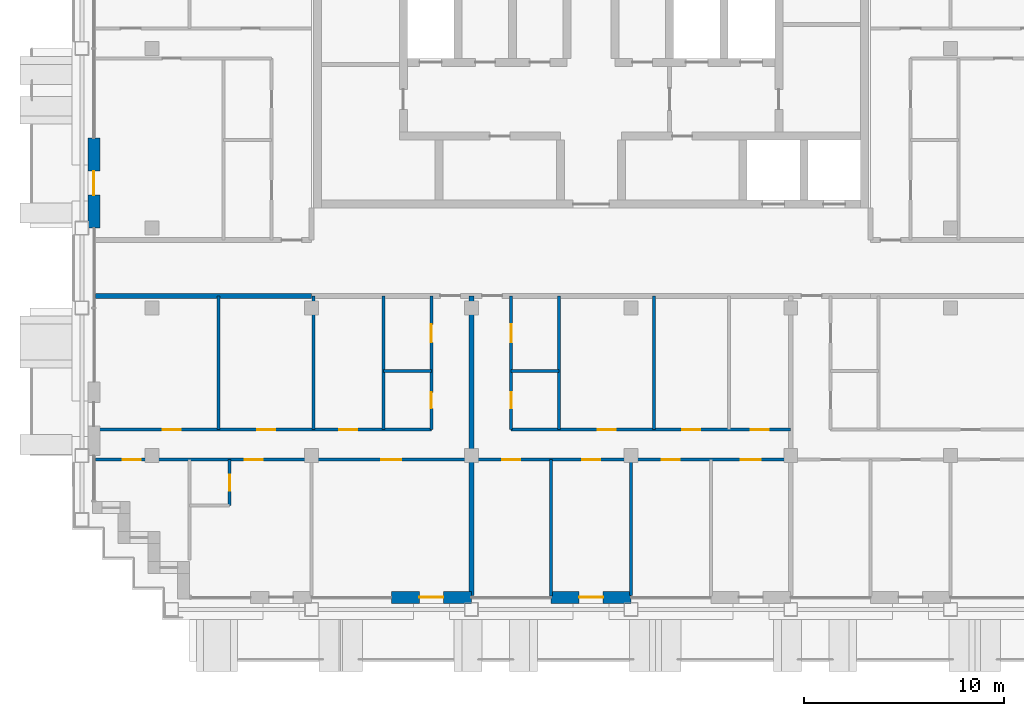
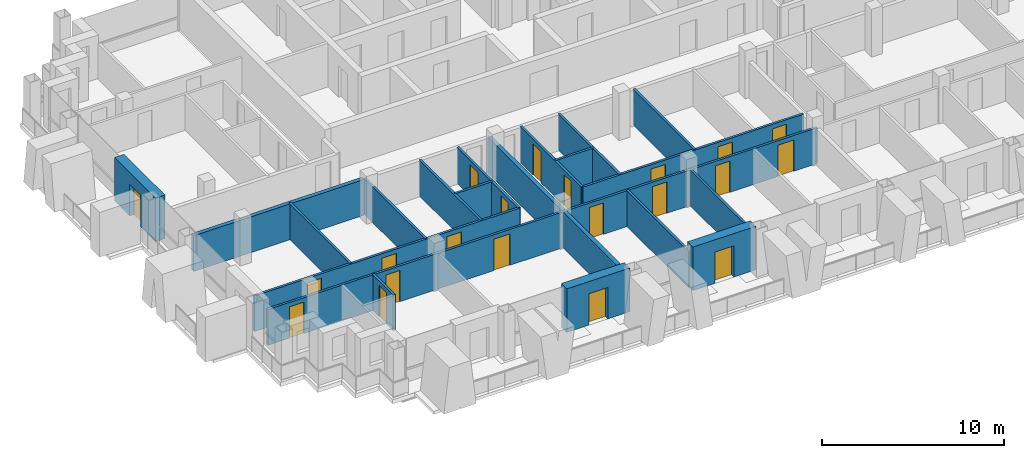
# One storey, part 8 of 16: 21 doors, 21 walls, 21 openings.
"""IFC4 building model written with IfcOpenShell, lengths in metres."""

from ifc_helpers import new_model, si_unit, direction, frame, frame_2d, origin, place, context, subcontext, project, spatial, rectangle, extrude, material, layer, layer_set, type_object, element, fill, save


model = new_model("IFC4")

# Units and contexts
model_context = context("Model", 3, precision=1e-05, world=origin(), true_north=direction((0.0, 1.0)))
body_context = subcontext(model_context, "Body", "Model", "MODEL_VIEW")
ifc_project = project(units=[si_unit("LENGTHUNIT", "METRE"), si_unit("AREAUNIT", "SQUARE_METRE"), si_unit("VOLUMEUNIT", "CUBIC_METRE"), si_unit("PLANEANGLEUNIT", "RADIAN"), si_unit("MASSUNIT", "GRAM", prefix="KILO")], contexts=[model_context])

# Site, building, storey
site_placement = place(None, origin())
site = spatial("IfcSite", under=ifc_project, at=site_placement, CompositionType="ELEMENT")
building_placement = place(site_placement, origin())
building = spatial("IfcBuilding", under=site, at=building_placement, Name="Vidyagriha Tower", CompositionType="ELEMENT")
storey_placement = place(building_placement, frame((0.0, 0.0, 168.5)))
storey = spatial("IfcBuildingStorey", under=building, at=storey_placement, Name="L43", CompositionType="ELEMENT", Elevation=168.5)

# Wall, opening, door
ifc_material_1 = material(Name="Precast concrete C40/50 with brick facing", Category="concrete")
ifc_layer_1 = layer(ifc_material_1, 0.60009765625)
ifc_layer_set_1 = layer_set([ifc_layer_1], Name="Precast concrete C40/50 with brick facing")
wall_type_1 = type_object("IfcWallType", Name="Brick-faced precast wall 600", PredefinedType="STANDARD", material=ifc_layer_set_1)
wall_1_placement = place(storey_placement, frame((-24.89990234375, 6.5, 0.0), z_axis=(0.0, 0.0, 1.0), x_axis=(0.0, -1.0, 0.0)))
wall_1 = element("IfcWall", 1, at=wall_1_placement, inside=storey, type_object=wall_type_1, Name="Brick door bay wall L43 R16.3", PredefinedType="STANDARD", context=body_context, shape_type="SweptSolid", body=[
    extrude(rectangle(XDim=4.5, YDim=0.60009765625, at=frame_2d((2.25, 0.0))), origin(), (0.0, 0.0, 1.0), 2.919921875),
])
opening_1_placement = place(wall_1_placement, frame((1.64990234375, 0.0, 0.0)))
opening_1 = element("IfcOpeningElement", 2, at=opening_1_placement, cuts=wall_1, Name="Opening D43-66", PredefinedType="OPENING", context=body_context, shape_type="SweptSolid", body=[
    extrude(rectangle(XDim=1.199951171875, YDim=2.10009765625, at=frame_2d((0.60009765625, 1.050048828125))), frame((0.0, 0.31005859375, 0.0), z_axis=(0.0, -1.0, 0.0), x_axis=(1.0, 0.0, 0.0)), (0.0, 0.0, 1.0), 0.6201171875),
])
ifc_material_2 = material(Name="Aluminium framed glazed sliding door", Category="aluminium")
door_type_1 = type_object("IfcDoorType", Name="Balcony sliding door 1200x2100", OperationType="NOTDEFINED", PredefinedType="DOOR", material=ifc_material_2)
door_1_placement = place(opening_1_placement, origin())
door_1 = element("IfcDoor", 3, at=door_1_placement, inside=storey, type_object=door_type_1, Name="Door D43-66", OperationType="SLIDING_TO_LEFT", OverallHeight=2.10009765625, OverallWidth=1.199951171875, PredefinedType="DOOR", context=body_context, shape_type="SweptSolid", body=[
    extrude(rectangle(XDim=1.199951171875, YDim=2.10009765625, at=frame_2d((0.60009765625, 1.050048828125))), frame((0.0, 0.02490234375, 0.0), z_axis=(0.0, -1.0, 0.0), x_axis=(1.0, 0.0, 0.0)), (0.0, 0.0, 1.0), 0.050048828125),
])
fill(opening_1, door_1)

wall_2_placement = place(storey_placement, frame((-10.0, -16.5, 0.0)))
wall_2 = element("IfcWall", 4, at=wall_2_placement, inside=storey, type_object=wall_type_1, Name="Brick door bay wall L43 R23.4", PredefinedType="STANDARD", context=body_context, shape_type="SweptSolid", body=[
    extrude(rectangle(XDim=4.0, YDim=0.60009765625, at=frame_2d((2.0, 0.0))), origin(), (0.0, 0.0, 1.0), 2.919921875),
])
opening_2_placement = place(wall_2_placement, frame((1.39990234375, 0.0, 0.0)))
opening_2 = element("IfcOpeningElement", 5, at=opening_2_placement, cuts=wall_2, Name="Opening D43-69", PredefinedType="OPENING", context=body_context, shape_type="SweptSolid", body=[
    extrude(rectangle(XDim=1.199951171875, YDim=2.10009765625, at=frame_2d((0.60009765625, 1.050048828125))), frame((0.0, 0.31005859375, 0.0), z_axis=(0.0, -1.0, 0.0), x_axis=(1.0, 0.0, 0.0)), (0.0, 0.0, 1.0), 0.6201171875),
])
door_2_placement = place(opening_2_placement, origin())
door_2 = element("IfcDoor", 6, at=door_2_placement, inside=storey, type_object=door_type_1, Name="Door D43-69", OperationType="SLIDING_TO_LEFT", OverallHeight=2.10009765625, OverallWidth=1.199951171875, PredefinedType="DOOR", context=body_context, shape_type="SweptSolid", body=[
    extrude(rectangle(XDim=1.199951171875, YDim=2.10009765625, at=frame_2d((0.60009765625, 1.050048828125))), frame((0.0, 0.02490234375, 0.0), z_axis=(0.0, -1.0, 0.0), x_axis=(1.0, 0.0, 0.0)), (0.0, 0.0, 1.0), 0.050048828125),
])
fill(opening_2, door_2)

wall_3_placement = place(storey_placement, frame((-2.0, -16.5, 0.0)))
wall_3 = element("IfcWall", 7, at=wall_3_placement, inside=storey, type_object=wall_type_1, Name="Brick door bay wall L43 R23.6", PredefinedType="STANDARD", context=body_context, shape_type="SweptSolid", body=[
    extrude(rectangle(XDim=4.0, YDim=0.60009765625, at=frame_2d((2.0, 0.0))), origin(), (0.0, 0.0, 1.0), 2.919921875),
])
opening_3_placement = place(wall_3_placement, frame((1.39990234375, 0.0, 0.0)))
opening_3 = element("IfcOpeningElement", 8, at=opening_3_placement, cuts=wall_3, Name="Opening D43-70", PredefinedType="OPENING", context=body_context, shape_type="SweptSolid", body=[
    extrude(rectangle(XDim=1.199951171875, YDim=2.10009765625, at=frame_2d((0.60009765625, 1.050048828125))), frame((0.0, 0.31005859375, 0.0), z_axis=(0.0, -1.0, 0.0), x_axis=(1.0, 0.0, 0.0)), (0.0, 0.0, 1.0), 0.6201171875),
])
door_3_placement = place(opening_3_placement, origin())
door_3 = element("IfcDoor", 9, at=door_3_placement, inside=storey, type_object=door_type_1, Name="Door D43-70", OperationType="SLIDING_TO_LEFT", OverallHeight=2.10009765625, OverallWidth=1.199951171875, PredefinedType="DOOR", context=body_context, shape_type="SweptSolid", body=[
    extrude(rectangle(XDim=1.199951171875, YDim=2.10009765625, at=frame_2d((0.60009765625, 1.050048828125))), frame((0.0, 0.02490234375, 0.0), z_axis=(0.0, -1.0, 0.0), x_axis=(1.0, 0.0, 0.0)), (0.0, 0.0, 1.0), 0.050048828125),
])
fill(opening_3, door_3)

# Walls
ifc_material_3 = material(Name="Fired clay brick masonry", Category="masonry")
ifc_layer_2 = layer(ifc_material_3, 0.25)
ifc_layer_set_2 = layer_set([ifc_layer_2], Name="Fired clay brick masonry")
wall_type_2 = type_object("IfcWallType", Name="Fired clay brick corridor wall 250", PredefinedType="PARTITIONING", material=ifc_layer_set_2)
wall_4_placement = place(storey_placement, frame((-14.0, -1.39990234375, 0.0), z_axis=(0.0, 0.0, 1.0), x_axis=(-1.0, 0.0, 0.0)))
element("IfcWall", 10, at=wall_4_placement, inside=storey, type_object=wall_type_2, Name="Wall all-L43-w066", PredefinedType="PARTITIONING", context=body_context, shape_type="SweptSolid", body=[
    extrude(rectangle(XDim=10.820068359375, YDim=0.25, at=frame_2d((5.41015625, 0.0))), origin(), (0.0, 0.0, 1.0), 2.39990234375),
])
ifc_material_4 = material(Name="Fired clay brick masonry", Category="masonry")
ifc_layer_3 = layer(ifc_material_4, 0.25)
ifc_layer_set_3 = layer_set([ifc_layer_3], Name="Fired clay brick masonry")
wall_type_3 = type_object("IfcWallType", Name="Fired clay brick demising wall 250", PredefinedType="PARTITIONING", material=ifc_layer_set_3)
wall_5_placement = place(storey_placement, frame((-6.0, -1.39990234375, 0.0), z_axis=(0.0, 0.0, 1.0), x_axis=(0.0, -1.0, 0.0)))
element("IfcWall", 11, at=wall_5_placement, inside=storey, type_object=wall_type_3, Name="Wall all-L43-w042", PredefinedType="PARTITIONING", context=body_context, shape_type="SweptSolid", body=[
    extrude(rectangle(XDim=15.010009765625, YDim=0.25, at=frame_2d((7.5048828125, 0.0))), origin(), (0.0, 0.0, 1.0), 2.39990234375),
])
ifc_material_5 = material(Name="Gypsum board partition")
ifc_layer_4 = layer(ifc_material_5, 0.14990234375)
ifc_layer_set_4 = layer_set([ifc_layer_4], Name="Gypsum board partition")
wall_type_4 = type_object("IfcWallType", Name="Gypsum board partition 150", PredefinedType="PARTITIONING", material=ifc_layer_set_4)
wall_6_placement = place(storey_placement, frame((-8.0, -5.14990234375, 0.0), z_axis=(0.0, 0.0, 1.0), x_axis=(-1.0, 0.0, 0.0)))
element("IfcWall", 12, at=wall_6_placement, inside=storey, type_object=wall_type_4, Name="Wall all-L43-w004", PredefinedType="PARTITIONING", context=body_context, shape_type="SweptSolid", body=[
    extrude(rectangle(XDim=2.39990234375, YDim=0.14990234375, at=frame_2d((1.199951171875, 0.0))), origin(), (0.0, 0.0, 1.0), 2.39990234375),
])
for number, where, z_axis, x_axis, name in (
    (13, (-10.39990234375, -8.10009765625, 0.0), (0.0, 0.0, 1.0), (0.0, 1.0, 0.0), "Wall all-L43-w005"),
    (14, (-13.89990234375, -8.10009765625, 0.0), (0.0, 0.0, 1.0), (0.0, 1.0, 0.0), "Wall all-L43-w006"),
    (15, (-18.64990234375, -8.10009765625, 0.0), (0.0, 0.0, 1.0), (0.0, 1.0, 0.0), "Wall all-L43-w007"),
):
    element("IfcWall", number, at=place(storey_placement, frame(where, z_axis=z_axis, x_axis=x_axis)), inside=storey, type_object=wall_type_4, Name=name, PredefinedType="PARTITIONING", context=body_context, shape_type="SweptSolid", body=[
        extrude(rectangle(XDim=6.7001953125, YDim=0.14990234375, at=frame_2d((3.35009765625, 0.0))), origin(), (0.0, 0.0, 1.0), 2.39990234375),
    ])

# Wall, openings, doors
wall_7_placement = place(storey_placement, frame((-24.81005859375, -8.10009765625, 0.0)))
wall_7 = element("IfcWall", 16, at=wall_7_placement, inside=storey, type_object=wall_type_4, Name="Wall all-L43-w008", PredefinedType="PARTITIONING", context=body_context, shape_type="SweptSolid", body=[
    extrude(rectangle(XDim=16.81005859375, YDim=0.14990234375, at=frame_2d((8.405029296875, 0.0))), origin(), (0.0, 0.0, 1.0), 2.39990234375),
])
opening_4_placement = place(wall_7_placement, frame((12.2099609375, 0.0, 0.0)))
opening_4 = element("IfcOpeningElement", 17, at=opening_4_placement, cuts=wall_7, Name="Opening D43-17", PredefinedType="OPENING", context=body_context, shape_type="SweptSolid", body=[
    extrude(rectangle(XDim=0.89990234375, YDim=2.10009765625, at=frame_2d((0.449951171875, 1.050048828125))), frame((0.0, 0.0849609375, 0.0), z_axis=(0.0, -1.0, 0.0), x_axis=(1.0, 0.0, 0.0)), (0.0, 0.0, 1.0), 0.169921875),
])
opening_5_placement = place(wall_7_placement, frame((8.0849609375, 0.0, 0.0)))
opening_5 = element("IfcOpeningElement", 18, at=opening_5_placement, cuts=wall_7, Name="Opening D43-18", PredefinedType="OPENING", context=body_context, shape_type="SweptSolid", body=[
    extrude(rectangle(XDim=0.89990234375, YDim=2.10009765625, at=frame_2d((0.449951171875, 1.050048828125))), frame((0.0, 0.0849609375, 0.0), z_axis=(0.0, -1.0, 0.0), x_axis=(1.0, 0.0, 0.0)), (0.0, 0.0, 1.0), 0.169921875),
])
opening_6_placement = place(wall_7_placement, frame((3.35693359375, 0.0, 0.0)))
opening_6 = element("IfcOpeningElement", 19, at=opening_6_placement, cuts=wall_7, Name="Opening D43-19", PredefinedType="OPENING", context=body_context, shape_type="SweptSolid", body=[
    extrude(rectangle(XDim=0.89990234375, YDim=2.10009765625, at=frame_2d((0.449951171875, 1.050048828125))), frame((0.0, 0.0849609375, 0.0), z_axis=(0.0, -1.0, 0.0), x_axis=(1.0, 0.0, 0.0)), (0.0, 0.0, 1.0), 0.169921875),
])
ifc_material_6 = material(Name="Timber door leaf", Category="wood")
door_type_2 = type_object("IfcDoorType", Name="Room door 900x2100", OperationType="NOTDEFINED", PredefinedType="DOOR", material=ifc_material_6)
door_4_placement = place(opening_4_placement, origin())
door_4 = element("IfcDoor", 20, at=door_4_placement, inside=storey, type_object=door_type_2, Name="Door D43-17", OperationType="SINGLE_SWING_RIGHT", OverallHeight=2.10009765625, OverallWidth=0.89990234375, PredefinedType="DOOR", context=body_context, shape_type="SweptSolid", body=[
    extrude(rectangle(XDim=0.89990234375, YDim=2.10009765625, at=frame_2d((0.449951171875, 1.050048828125))), frame((0.0, 0.02490234375, 0.0), z_axis=(0.0, -1.0, 0.0), x_axis=(1.0, 0.0, 0.0)), (0.0, 0.0, 1.0), 0.050048828125),
])
fill(opening_4, door_4)
door_5_placement = place(opening_5_placement, origin())
door_5 = element("IfcDoor", 21, at=door_5_placement, inside=storey, type_object=door_type_2, Name="Door D43-18", OperationType="SINGLE_SWING_RIGHT", OverallHeight=2.10009765625, OverallWidth=0.89990234375, PredefinedType="DOOR", context=body_context, shape_type="SweptSolid", body=[
    extrude(rectangle(XDim=0.89990234375, YDim=2.10009765625, at=frame_2d((0.449951171875, 1.050048828125))), frame((0.0, 0.02490234375, 0.0), z_axis=(0.0, -1.0, 0.0), x_axis=(1.0, 0.0, 0.0)), (0.0, 0.0, 1.0), 0.050048828125),
])
fill(opening_5, door_5)
door_6_placement = place(opening_6_placement, origin())
door_6 = element("IfcDoor", 22, at=door_6_placement, inside=storey, type_object=door_type_2, Name="Door D43-19", OperationType="SINGLE_SWING_RIGHT", OverallHeight=2.10009765625, OverallWidth=0.89990234375, PredefinedType="DOOR", context=body_context, shape_type="SweptSolid", body=[
    extrude(rectangle(XDim=0.89990234375, YDim=2.10009765625, at=frame_2d((0.449951171875, 1.050048828125))), frame((0.0, 0.02490234375, 0.0), z_axis=(0.0, -1.0, 0.0), x_axis=(1.0, 0.0, 0.0)), (0.0, 0.0, 1.0), 0.050048828125),
])
fill(opening_6, door_6)

wall_8_placement = place(storey_placement, frame((-6.0, -9.60009765625, 0.0), z_axis=(0.0, 0.0, 1.0), x_axis=(-1.0, 0.0, 0.0)))
wall_8 = element("IfcWall", 23, at=wall_8_placement, inside=storey, type_object=wall_type_4, Name="Wall all-L43-w012", PredefinedType="PARTITIONING", context=body_context, shape_type="SweptSolid", body=[
    extrude(rectangle(XDim=18.820068359375, YDim=0.14990234375, at=frame_2d((9.41015625, 0.0))), origin(), (0.0, 0.0, 1.0), 2.39990234375),
])
opening_7_placement = place(wall_8_placement, frame((16.547119140625, 0.0, 0.0)))
opening_7 = element("IfcOpeningElement", 24, at=opening_7_placement, cuts=wall_8, Name="Opening D43-20", PredefinedType="OPENING", context=body_context, shape_type="SweptSolid", body=[
    extrude(rectangle(XDim=0.89990234375, YDim=2.10009765625, at=frame_2d((0.449951171875, 1.050048828125))), frame((0.0, 0.0849609375, 0.0), z_axis=(0.0, -1.0, 0.0), x_axis=(1.0, 0.0, 0.0)), (0.0, 0.0, 1.0), 0.169921875),
])
opening_8_placement = place(wall_8_placement, frame((10.449951171875, 0.0, 0.0)))
opening_8 = element("IfcOpeningElement", 25, at=opening_8_placement, cuts=wall_8, Name="Opening D43-21", PredefinedType="OPENING", context=body_context, shape_type="SweptSolid", body=[
    extrude(rectangle(XDim=0.89990234375, YDim=2.10009765625, at=frame_2d((0.449951171875, 1.050048828125))), frame((0.0, 0.0849609375, 0.0), z_axis=(0.0, -1.0, 0.0), x_axis=(1.0, 0.0, 0.0)), (0.0, 0.0, 1.0), 0.169921875),
])
opening_9_placement = place(wall_8_placement, frame((3.5, 0.0, 0.0)))
opening_9 = element("IfcOpeningElement", 26, at=opening_9_placement, cuts=wall_8, Name="Opening D43-22", PredefinedType="OPENING", context=body_context, shape_type="SweptSolid", body=[
    extrude(rectangle(XDim=1.0, YDim=2.10009765625, at=frame_2d((0.5, 1.050048828125))), frame((0.0, 0.0849609375, 0.0), z_axis=(0.0, -1.0, 0.0), x_axis=(1.0, 0.0, 0.0)), (0.0, 0.0, 1.0), 0.169921875),
])
ifc_material_7 = material(Name="Timber door leaf", Category="wood")
door_type_3 = type_object("IfcDoorType", Name="Room door 1000x2100", OperationType="NOTDEFINED", PredefinedType="DOOR", material=ifc_material_7)
door_7_placement = place(opening_9_placement, origin())
door_7 = element("IfcDoor", 27, at=door_7_placement, inside=storey, type_object=door_type_3, Name="Door D43-22", OperationType="SINGLE_SWING_RIGHT", OverallHeight=2.10009765625, OverallWidth=1.0, PredefinedType="DOOR", context=body_context, shape_type="SweptSolid", body=[
    extrude(rectangle(XDim=1.0, YDim=2.10009765625, at=frame_2d((0.5, 1.050048828125))), frame((0.0, 0.02490234375, 0.0), z_axis=(0.0, -1.0, 0.0), x_axis=(1.0, 0.0, 0.0)), (0.0, 0.0, 1.0), 0.050048828125),
])
fill(opening_9, door_7)
door_8_placement = place(opening_7_placement, origin())
door_8 = element("IfcDoor", 28, at=door_8_placement, inside=storey, type_object=door_type_2, Name="Door D43-20", OperationType="SINGLE_SWING_RIGHT", OverallHeight=2.10009765625, OverallWidth=0.89990234375, PredefinedType="DOOR", context=body_context, shape_type="SweptSolid", body=[
    extrude(rectangle(XDim=0.89990234375, YDim=2.10009765625, at=frame_2d((0.449951171875, 1.050048828125))), frame((0.0, 0.02490234375, 0.0), z_axis=(0.0, -1.0, 0.0), x_axis=(1.0, 0.0, 0.0)), (0.0, 0.0, 1.0), 0.050048828125),
])
fill(opening_7, door_8)
door_9_placement = place(opening_8_placement, origin())
door_9 = element("IfcDoor", 29, at=door_9_placement, inside=storey, type_object=door_type_2, Name="Door D43-21", OperationType="SINGLE_SWING_LEFT", OverallHeight=2.10009765625, OverallWidth=0.89990234375, PredefinedType="DOOR", context=body_context, shape_type="SweptSolid", body=[
    extrude(rectangle(XDim=0.89990234375, YDim=2.10009765625, at=frame_2d((0.449951171875, 1.050048828125))), frame((0.0, 0.02490234375, 0.0), z_axis=(0.0, -1.0, 0.0), x_axis=(1.0, 0.0, 0.0)), (0.0, 0.0, 1.0), 0.050048828125),
])
fill(opening_8, door_9)

# Wall, opening, door
wall_9_placement = place(storey_placement, frame((-18.10009765625, -9.60009765625, 0.0), z_axis=(0.0, 0.0, 1.0), x_axis=(0.0, -1.0, 0.0)))
wall_9 = element("IfcWall", 30, at=wall_9_placement, inside=storey, type_object=wall_type_4, Name="Wall all-L43-w018", PredefinedType="PARTITIONING", context=body_context, shape_type="SweptSolid", body=[
    extrude(rectangle(XDim=2.2998046875, YDim=0.14990234375, at=frame_2d((1.14990234375, 0.0))), origin(), (0.0, 0.0, 1.0), 2.39990234375),
])
opening_10_placement = place(wall_9_placement, frame((0.75, 0.0, 0.0)))
opening_10 = element("IfcOpeningElement", 31, at=opening_10_placement, cuts=wall_9, Name="Opening D43-23", PredefinedType="OPENING", context=body_context, shape_type="SweptSolid", body=[
    extrude(rectangle(XDim=0.800048828125, YDim=2.10009765625, at=frame_2d((0.39990234375, 1.050048828125))), frame((0.0, 0.0849609375, 0.0), z_axis=(0.0, -1.0, 0.0), x_axis=(1.0, 0.0, 0.0)), (0.0, 0.0, 1.0), 0.169921875),
])
ifc_material_8 = material(Name="Timber door leaf", Category="wood")
door_type_4 = type_object("IfcDoorType", Name="Bathroom door 800x2100", OperationType="NOTDEFINED", PredefinedType="DOOR", material=ifc_material_8)
door_10_placement = place(opening_10_placement, origin())
door_10 = element("IfcDoor", 32, at=door_10_placement, inside=storey, type_object=door_type_4, Name="Door D43-23", OperationType="SINGLE_SWING_LEFT", OverallHeight=2.10009765625, OverallWidth=0.800048828125, PredefinedType="DOOR", context=body_context, shape_type="SweptSolid", body=[
    extrude(rectangle(XDim=0.800048828125, YDim=2.10009765625, at=frame_2d((0.39990234375, 1.050048828125))), frame((0.0, 0.02490234375, 0.0), z_axis=(0.0, -1.0, 0.0), x_axis=(1.0, 0.0, 0.0)), (0.0, 0.0, 1.0), 0.050048828125),
])
fill(opening_10, door_10)

# Walls
wall_10_placement = place(storey_placement, frame((-1.60009765625, -5.14990234375, 0.0), z_axis=(0.0, 0.0, 1.0), x_axis=(-1.0, 0.0, 0.0)))
element("IfcWall", 33, at=wall_10_placement, inside=storey, type_object=wall_type_4, Name="Wall all-L43-w025", PredefinedType="PARTITIONING", context=body_context, shape_type="SweptSolid", body=[
    extrude(rectangle(XDim=2.39990234375, YDim=0.14990234375, at=frame_2d((1.199951171875, 0.0))), origin(), (0.0, 0.0, 1.0), 2.39990234375),
])
for number, where, z_axis, x_axis, name in (
    (34, (-1.60009765625, -1.39990234375, 0.0), (0.0, 0.0, 1.0), (0.0, -1.0, 0.0), "Wall all-L43-w026"),
    (35, (3.14990234375, -1.39990234375, 0.0), (0.0, 0.0, 1.0), (0.0, -1.0, 0.0), "Wall all-L43-w027"),
):
    element("IfcWall", number, at=place(storey_placement, frame(where, z_axis=z_axis, x_axis=x_axis)), inside=storey, type_object=wall_type_4, Name=name, PredefinedType="PARTITIONING", context=body_context, shape_type="SweptSolid", body=[
        extrude(rectangle(XDim=6.7001953125, YDim=0.14990234375, at=frame_2d((3.35009765625, 0.0))), origin(), (0.0, 0.0, 1.0), 2.39990234375),
    ])

# Wall, openings, doors
wall_11_placement = place(storey_placement, frame((-4.0, -8.10009765625, 0.0)))
wall_11 = element("IfcWall", 36, at=wall_11_placement, inside=storey, type_object=wall_type_4, Name="Wall all-L43-w029", PredefinedType="PARTITIONING", context=body_context, shape_type="SweptSolid", body=[
    extrude(rectangle(XDim=14.0, YDim=0.14990234375, at=frame_2d((7.0, 0.0))), origin(), (0.0, 0.0, 1.0), 2.39990234375),
])
opening_11_placement = place(wall_11_placement, frame((4.324951171875, 0.0, 0.0)))
opening_11 = element("IfcOpeningElement", 37, at=opening_11_placement, cuts=wall_11, Name="Opening D43-27", PredefinedType="OPENING", context=body_context, shape_type="SweptSolid", body=[
    extrude(rectangle(XDim=0.89990234375, YDim=2.10009765625, at=frame_2d((0.449951171875, 1.050048828125))), frame((0.0, 0.0849609375, 0.0), z_axis=(0.0, -1.0, 0.0), x_axis=(1.0, 0.0, 0.0)), (0.0, 0.0, 1.0), 0.169921875),
])
opening_12_placement = place(wall_11_placement, frame((8.574951171875, 0.0, 0.0)))
opening_12 = element("IfcOpeningElement", 38, at=opening_12_placement, cuts=wall_11, Name="Opening D43-28", PredefinedType="OPENING", context=body_context, shape_type="SweptSolid", body=[
    extrude(rectangle(XDim=0.89990234375, YDim=2.10009765625, at=frame_2d((0.449951171875, 1.050048828125))), frame((0.0, 0.0849609375, 0.0), z_axis=(0.0, -1.0, 0.0), x_axis=(1.0, 0.0, 0.0)), (0.0, 0.0, 1.0), 0.169921875),
])
opening_13_placement = place(wall_11_placement, frame((12.0, 0.0, 0.0)))
opening_13 = element("IfcOpeningElement", 39, at=opening_13_placement, cuts=wall_11, Name="Opening D43-29", PredefinedType="OPENING", context=body_context, shape_type="SweptSolid", body=[
    extrude(rectangle(XDim=0.89990234375, YDim=2.10009765625, at=frame_2d((0.449951171875, 1.050048828125))), frame((0.0, 0.0849609375, 0.0), z_axis=(0.0, -1.0, 0.0), x_axis=(1.0, 0.0, 0.0)), (0.0, 0.0, 1.0), 0.169921875),
])
door_11_placement = place(opening_11_placement, origin())
door_11 = element("IfcDoor", 40, at=door_11_placement, inside=storey, type_object=door_type_2, Name="Door D43-27", OperationType="SINGLE_SWING_RIGHT", OverallHeight=2.10009765625, OverallWidth=0.89990234375, PredefinedType="DOOR", context=body_context, shape_type="SweptSolid", body=[
    extrude(rectangle(XDim=0.89990234375, YDim=2.10009765625, at=frame_2d((0.449951171875, 1.050048828125))), frame((0.0, 0.02490234375, 0.0), z_axis=(0.0, -1.0, 0.0), x_axis=(1.0, 0.0, 0.0)), (0.0, 0.0, 1.0), 0.050048828125),
])
fill(opening_11, door_11)
door_12_placement = place(opening_12_placement, origin())
door_12 = element("IfcDoor", 41, at=door_12_placement, inside=storey, type_object=door_type_2, Name="Door D43-28", OperationType="SINGLE_SWING_RIGHT", OverallHeight=2.10009765625, OverallWidth=0.89990234375, PredefinedType="DOOR", context=body_context, shape_type="SweptSolid", body=[
    extrude(rectangle(XDim=0.89990234375, YDim=2.10009765625, at=frame_2d((0.449951171875, 1.050048828125))), frame((0.0, 0.02490234375, 0.0), z_axis=(0.0, -1.0, 0.0), x_axis=(1.0, 0.0, 0.0)), (0.0, 0.0, 1.0), 0.050048828125),
])
fill(opening_12, door_12)
door_13_placement = place(opening_13_placement, origin())
door_13 = element("IfcDoor", 42, at=door_13_placement, inside=storey, type_object=door_type_2, Name="Door D43-29", OperationType="SINGLE_SWING_LEFT", OverallHeight=2.10009765625, OverallWidth=0.89990234375, PredefinedType="DOOR", context=body_context, shape_type="SweptSolid", body=[
    extrude(rectangle(XDim=0.89990234375, YDim=2.10009765625, at=frame_2d((0.449951171875, 1.050048828125))), frame((0.0, 0.02490234375, 0.0), z_axis=(0.0, -1.0, 0.0), x_axis=(1.0, 0.0, 0.0)), (0.0, 0.0, 1.0), 0.050048828125),
])
fill(opening_13, door_13)

wall_12_placement = place(storey_placement, frame((10.0, -9.60009765625, 0.0), z_axis=(0.0, 0.0, 1.0), x_axis=(-1.0, 0.0, 0.0)))
wall_12 = element("IfcWall", 43, at=wall_12_placement, inside=storey, type_object=wall_type_4, Name="Wall all-L43-w033", PredefinedType="PARTITIONING", context=body_context, shape_type="SweptSolid", body=[
    extrude(rectangle(XDim=16.0, YDim=0.14990234375, at=frame_2d((8.0, 0.0))), origin(), (0.0, 0.0, 1.0), 2.39990234375),
])
opening_14_placement = place(wall_12_placement, frame((13.550048828125, 0.0, 0.0)))
opening_14 = element("IfcOpeningElement", 44, at=opening_14_placement, cuts=wall_12, Name="Opening D43-30", PredefinedType="OPENING", context=body_context, shape_type="SweptSolid", body=[
    extrude(rectangle(XDim=0.89990234375, YDim=2.10009765625, at=frame_2d((0.449951171875, 1.050048828125))), frame((0.0, 0.0849609375, 0.0), z_axis=(0.0, -1.0, 0.0), x_axis=(1.0, 0.0, 0.0)), (0.0, 0.0, 1.0), 0.169921875),
])
opening_15_placement = place(wall_12_placement, frame((9.550048828125, 0.0, 0.0)))
opening_15 = element("IfcOpeningElement", 45, at=opening_15_placement, cuts=wall_12, Name="Opening D43-31", PredefinedType="OPENING", context=body_context, shape_type="SweptSolid", body=[
    extrude(rectangle(XDim=0.89990234375, YDim=2.10009765625, at=frame_2d((0.449951171875, 1.050048828125))), frame((0.0, 0.0849609375, 0.0), z_axis=(0.0, -1.0, 0.0), x_axis=(1.0, 0.0, 0.0)), (0.0, 0.0, 1.0), 0.169921875),
])
opening_16_placement = place(wall_12_placement, frame((5.550048828125, 0.0, 0.0)))
opening_16 = element("IfcOpeningElement", 46, at=opening_16_placement, cuts=wall_12, Name="Opening D43-32", PredefinedType="OPENING", context=body_context, shape_type="SweptSolid", body=[
    extrude(rectangle(XDim=0.89990234375, YDim=2.10009765625, at=frame_2d((0.449951171875, 1.050048828125))), frame((0.0, 0.0849609375, 0.0), z_axis=(0.0, -1.0, 0.0), x_axis=(1.0, 0.0, 0.0)), (0.0, 0.0, 1.0), 0.169921875),
])
opening_17_placement = place(wall_12_placement, frame((1.5, 0.0, 0.0)))
opening_17 = element("IfcOpeningElement", 47, at=opening_17_placement, cuts=wall_12, Name="Opening D43-33", PredefinedType="OPENING", context=body_context, shape_type="SweptSolid", body=[
    extrude(rectangle(XDim=1.0, YDim=2.10009765625, at=frame_2d((0.5, 1.050048828125))), frame((0.0, 0.0849609375, 0.0), z_axis=(0.0, -1.0, 0.0), x_axis=(1.0, 0.0, 0.0)), (0.0, 0.0, 1.0), 0.169921875),
])
door_14_placement = place(opening_17_placement, origin())
door_14 = element("IfcDoor", 48, at=door_14_placement, inside=storey, type_object=door_type_3, Name="Door D43-33", OperationType="SINGLE_SWING_RIGHT", OverallHeight=2.10009765625, OverallWidth=1.0, PredefinedType="DOOR", context=body_context, shape_type="SweptSolid", body=[
    extrude(rectangle(XDim=1.0, YDim=2.10009765625, at=frame_2d((0.5, 1.050048828125))), frame((0.0, 0.02490234375, 0.0), z_axis=(0.0, -1.0, 0.0), x_axis=(1.0, 0.0, 0.0)), (0.0, 0.0, 1.0), 0.050048828125),
])
fill(opening_17, door_14)
door_15_placement = place(opening_14_placement, origin())
door_15 = element("IfcDoor", 49, at=door_15_placement, inside=storey, type_object=door_type_2, Name="Door D43-30", OperationType="SINGLE_SWING_RIGHT", OverallHeight=2.10009765625, OverallWidth=0.89990234375, PredefinedType="DOOR", context=body_context, shape_type="SweptSolid", body=[
    extrude(rectangle(XDim=0.89990234375, YDim=2.10009765625, at=frame_2d((0.449951171875, 1.050048828125))), frame((0.0, 0.02490234375, 0.0), z_axis=(0.0, -1.0, 0.0), x_axis=(1.0, 0.0, 0.0)), (0.0, 0.0, 1.0), 0.050048828125),
])
fill(opening_14, door_15)
door_16_placement = place(opening_15_placement, origin())
door_16 = element("IfcDoor", 50, at=door_16_placement, inside=storey, type_object=door_type_2, Name="Door D43-31", OperationType="SINGLE_SWING_RIGHT", OverallHeight=2.10009765625, OverallWidth=0.89990234375, PredefinedType="DOOR", context=body_context, shape_type="SweptSolid", body=[
    extrude(rectangle(XDim=0.89990234375, YDim=2.10009765625, at=frame_2d((0.449951171875, 1.050048828125))), frame((0.0, 0.02490234375, 0.0), z_axis=(0.0, -1.0, 0.0), x_axis=(1.0, 0.0, 0.0)), (0.0, 0.0, 1.0), 0.050048828125),
])
fill(opening_15, door_16)
door_17_placement = place(opening_16_placement, origin())
door_17 = element("IfcDoor", 51, at=door_17_placement, inside=storey, type_object=door_type_2, Name="Door D43-32", OperationType="SINGLE_SWING_RIGHT", OverallHeight=2.10009765625, OverallWidth=0.89990234375, PredefinedType="DOOR", context=body_context, shape_type="SweptSolid", body=[
    extrude(rectangle(XDim=0.89990234375, YDim=2.10009765625, at=frame_2d((0.449951171875, 1.050048828125))), frame((0.0, 0.02490234375, 0.0), z_axis=(0.0, -1.0, 0.0), x_axis=(1.0, 0.0, 0.0)), (0.0, 0.0, 1.0), 0.050048828125),
])
fill(opening_16, door_17)

# Walls
wall_13_placement = place(storey_placement, frame((-2.0, -9.60009765625, 0.0), z_axis=(0.0, 0.0, 1.0), x_axis=(0.0, -1.0, 0.0)))
element("IfcWall", 52, at=wall_13_placement, inside=storey, type_object=wall_type_4, Name="Wall all-L43-w038", PredefinedType="PARTITIONING", context=body_context, shape_type="SweptSolid", body=[
    extrude(rectangle(XDim=6.82080078125, YDim=0.14990234375, at=frame_2d((3.410400390625, 0.0))), origin(), (0.0, 0.0, 1.0), 2.39990234375),
])
wall_14_placement = place(storey_placement, frame((2.0, -9.60009765625, 0.0), z_axis=(0.0, 0.0, 1.0), x_axis=(0.0, -1.0, 0.0)))
element("IfcWall", 53, at=wall_14_placement, inside=storey, type_object=wall_type_4, Name="Wall all-L43-w039", PredefinedType="PARTITIONING", context=body_context, shape_type="SweptSolid", body=[
    extrude(rectangle(XDim=6.809814453125, YDim=0.14990234375, at=frame_2d((3.40478515625, 0.0))), origin(), (0.0, 0.0, 1.0), 2.39990234375),
])

# Wall, openings, doors
ifc_material_9 = material(Name="Moisture resistant gypsum board partition")
ifc_layer_5 = layer(ifc_material_9, 0.14990234375)
ifc_layer_set_5 = layer_set([ifc_layer_5], Name="Moisture resistant gypsum board partition")
wall_type_5 = type_object("IfcWallType", Name="Gypsum board wet-area partition 150", PredefinedType="PARTITIONING", material=ifc_layer_set_5)
wall_15_placement = place(storey_placement, frame((-8.0, -8.10009765625, 0.0), z_axis=(0.0, 0.0, 1.0), x_axis=(0.0, 1.0, 0.0)))
wall_15 = element("IfcWall", 54, at=wall_15_placement, inside=storey, type_object=wall_type_5, Name="Wall all-L43-w001", PredefinedType="PARTITIONING", context=body_context, shape_type="SweptSolid", body=[
    extrude(rectangle(XDim=6.7001953125, YDim=0.14990234375, at=frame_2d((3.35009765625, 0.0))), origin(), (0.0, 0.0, 1.0), 2.39990234375),
])
opening_18_placement = place(wall_15_placement, frame((4.375, 0.0, 0.0)))
opening_18 = element("IfcOpeningElement", 55, at=opening_18_placement, cuts=wall_15, Name="Opening D43-15", PredefinedType="OPENING", context=body_context, shape_type="SweptSolid", body=[
    extrude(rectangle(XDim=0.89990234375, YDim=2.10009765625, at=frame_2d((0.449951171875, 1.050048828125))), frame((0.0, 0.0849609375, 0.0), z_axis=(0.0, -1.0, 0.0), x_axis=(1.0, 0.0, 0.0)), (0.0, 0.0, 1.0), 0.169921875),
])
opening_19_placement = place(wall_15_placement, frame((1.074951171875, 0.0, 0.0)))
opening_19 = element("IfcOpeningElement", 56, at=opening_19_placement, cuts=wall_15, Name="Opening D43-16", PredefinedType="OPENING", context=body_context, shape_type="SweptSolid", body=[
    extrude(rectangle(XDim=0.800048828125, YDim=2.10009765625, at=frame_2d((0.39990234375, 1.050048828125))), frame((0.0, 0.0849609375, 0.0), z_axis=(0.0, -1.0, 0.0), x_axis=(1.0, 0.0, 0.0)), (0.0, 0.0, 1.0), 0.169921875),
])
door_18_placement = place(opening_19_placement, origin())
door_18 = element("IfcDoor", 57, at=door_18_placement, inside=storey, type_object=door_type_4, Name="Door D43-16", OperationType="SINGLE_SWING_RIGHT", OverallHeight=2.10009765625, OverallWidth=0.800048828125, PredefinedType="DOOR", context=body_context, shape_type="SweptSolid", body=[
    extrude(rectangle(XDim=0.800048828125, YDim=2.10009765625, at=frame_2d((0.39990234375, 1.050048828125))), frame((0.0, 0.02490234375, 0.0), z_axis=(0.0, -1.0, 0.0), x_axis=(1.0, 0.0, 0.0)), (0.0, 0.0, 1.0), 0.050048828125),
])
fill(opening_19, door_18)
ifc_material_10 = material(Name="Timber door leaf", Category="wood")
door_type_5 = type_object("IfcDoorType", Name="Kitchen door 900x2100", OperationType="NOTDEFINED", PredefinedType="DOOR", material=ifc_material_10)
door_19_placement = place(opening_18_placement, origin())
door_19 = element("IfcDoor", 58, at=door_19_placement, inside=storey, type_object=door_type_5, Name="Door D43-15", OperationType="SINGLE_SWING_LEFT", OverallHeight=2.10009765625, OverallWidth=0.89990234375, PredefinedType="DOOR", context=body_context, shape_type="SweptSolid", body=[
    extrude(rectangle(XDim=0.89990234375, YDim=2.10009765625, at=frame_2d((0.449951171875, 1.050048828125))), frame((0.0, 0.02490234375, 0.0), z_axis=(0.0, -1.0, 0.0), x_axis=(1.0, 0.0, 0.0)), (0.0, 0.0, 1.0), 0.050048828125),
])
fill(opening_18, door_19)

wall_16_placement = place(storey_placement, frame((-4.0, -1.39990234375, 0.0), z_axis=(0.0, 0.0, 1.0), x_axis=(0.0, -1.0, 0.0)))
wall_16 = element("IfcWall", 59, at=wall_16_placement, inside=storey, type_object=wall_type_5, Name="Wall all-L43-w022", PredefinedType="PARTITIONING", context=body_context, shape_type="SweptSolid", body=[
    extrude(rectangle(XDim=6.7001953125, YDim=0.14990234375, at=frame_2d((3.35009765625, 0.0))), origin(), (0.0, 0.0, 1.0), 2.39990234375),
])
opening_20_placement = place(wall_16_placement, frame((1.425048828125, 0.0, 0.0)))
opening_20 = element("IfcOpeningElement", 60, at=opening_20_placement, cuts=wall_16, Name="Opening D43-25", PredefinedType="OPENING", context=body_context, shape_type="SweptSolid", body=[
    extrude(rectangle(XDim=0.89990234375, YDim=2.10009765625, at=frame_2d((0.449951171875, 1.050048828125))), frame((0.0, 0.0849609375, 0.0), z_axis=(0.0, -1.0, 0.0), x_axis=(1.0, 0.0, 0.0)), (0.0, 0.0, 1.0), 0.169921875),
])
opening_21_placement = place(wall_16_placement, frame((4.824951171875, 0.0, 0.0)))
opening_21 = element("IfcOpeningElement", 61, at=opening_21_placement, cuts=wall_16, Name="Opening D43-26", PredefinedType="OPENING", context=body_context, shape_type="SweptSolid", body=[
    extrude(rectangle(XDim=0.800048828125, YDim=2.10009765625, at=frame_2d((0.39990234375, 1.050048828125))), frame((0.0, 0.0849609375, 0.0), z_axis=(0.0, -1.0, 0.0), x_axis=(1.0, 0.0, 0.0)), (0.0, 0.0, 1.0), 0.169921875),
])
door_20_placement = place(opening_21_placement, origin())
door_20 = element("IfcDoor", 62, at=door_20_placement, inside=storey, type_object=door_type_4, Name="Door D43-26", OperationType="SINGLE_SWING_RIGHT", OverallHeight=2.10009765625, OverallWidth=0.800048828125, PredefinedType="DOOR", context=body_context, shape_type="SweptSolid", body=[
    extrude(rectangle(XDim=0.800048828125, YDim=2.10009765625, at=frame_2d((0.39990234375, 1.050048828125))), frame((0.0, 0.02490234375, 0.0), z_axis=(0.0, -1.0, 0.0), x_axis=(1.0, 0.0, 0.0)), (0.0, 0.0, 1.0), 0.050048828125),
])
fill(opening_21, door_20)
door_21_placement = place(opening_20_placement, origin())
door_21 = element("IfcDoor", 63, at=door_21_placement, inside=storey, type_object=door_type_5, Name="Door D43-25", OperationType="SINGLE_SWING_LEFT", OverallHeight=2.10009765625, OverallWidth=0.89990234375, PredefinedType="DOOR", context=body_context, shape_type="SweptSolid", body=[
    extrude(rectangle(XDim=0.89990234375, YDim=2.10009765625, at=frame_2d((0.449951171875, 1.050048828125))), frame((0.0, 0.02490234375, 0.0), z_axis=(0.0, -1.0, 0.0), x_axis=(1.0, 0.0, 0.0)), (0.0, 0.0, 1.0), 0.050048828125),
])
fill(opening_20, door_21)

save(model, "model.ifc")
